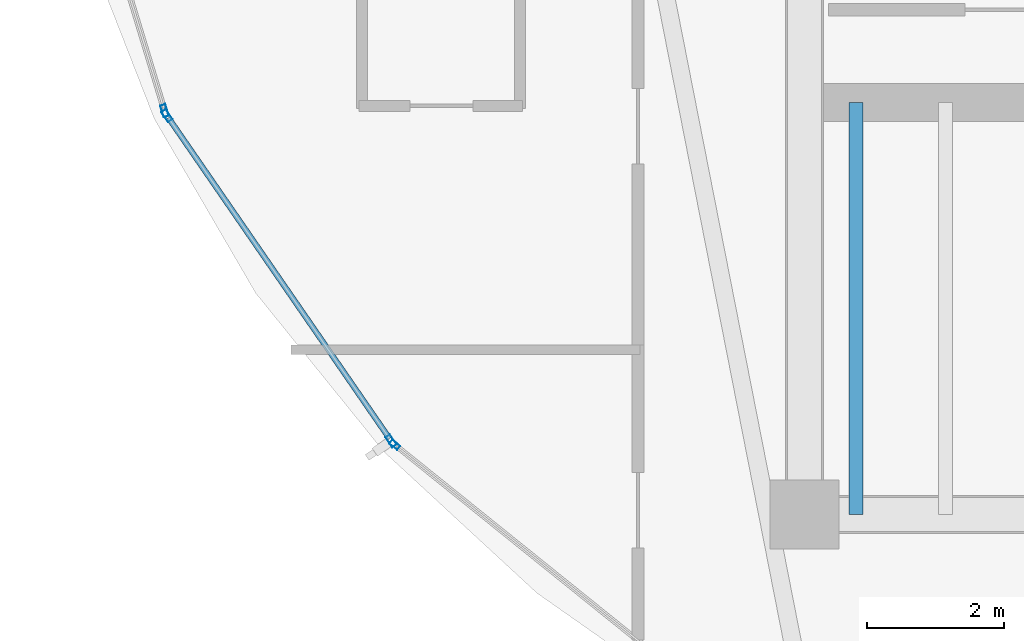
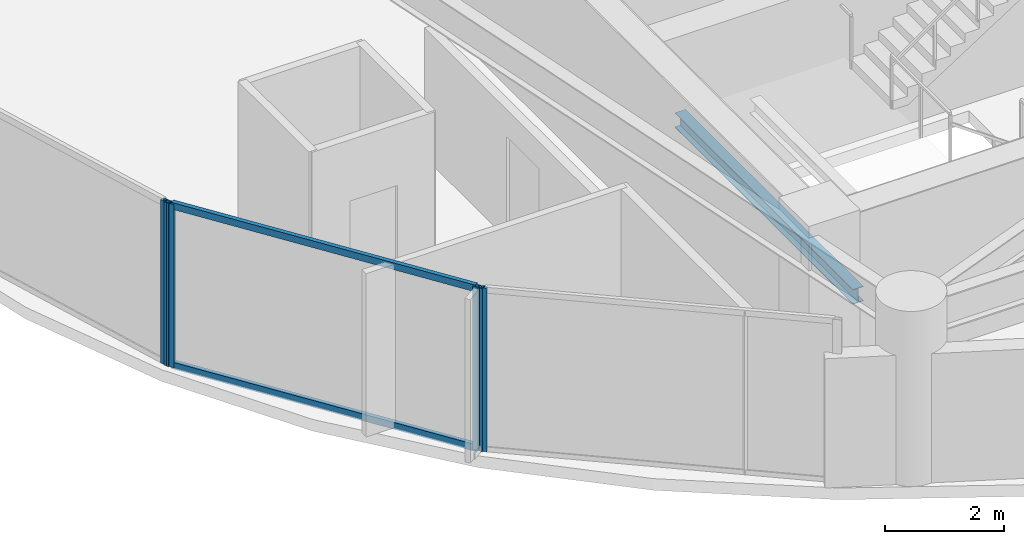
# One storey, part 3 of 34: 6 members, 1 beam, 3 elements without a shape of their own.
"""IFC4 building model written with IfcOpenShell, lengths in metres."""

from ifc_helpers import new_model, si_unit, direction, frame, origin, origin_2d, place, context, subcontext, project, spatial, hollow_rectangle, i_section, extrude, material, layer, layer_set, material_profile, profile_set, type_object, element, aggregate, save


model = new_model("IFC4")

# Units and contexts
model_context = context("Model", 3, precision=1e-05, world=origin(), true_north=direction((0.0, 1.0)))
body_context = subcontext(model_context, "Body", "Model", "MODEL_VIEW")
ifc_project = project(units=[si_unit("LENGTHUNIT", "METRE"), si_unit("AREAUNIT", "SQUARE_METRE"), si_unit("VOLUMEUNIT", "CUBIC_METRE"), si_unit("PLANEANGLEUNIT", "RADIAN"), si_unit("MASSUNIT", "GRAM", prefix="KILO")], contexts=[model_context])

# Site, building, storey
site_placement = place(None, origin())
site = spatial("IfcSite", under=ifc_project, at=site_placement, CompositionType="ELEMENT")
building_placement = place(site_placement, origin())
building = spatial("IfcBuilding", under=site, at=building_placement, Name="Kazevale Care Tower and Concert Hall", CompositionType="ELEMENT")
storey_placement = place(building_placement, frame((0.0, 0.0, 174.60009765625)))
storey = spatial("IfcBuildingStorey", under=building, at=storey_placement, Name="L46", CompositionType="ELEMENT", Elevation=174.60009765625)

# Curtain wall, members
ifc_material_1 = material(Name="Aluminium 6063-T6 and Low-E Glass", Category="aluminium")
ifc_layer_1 = layer(ifc_material_1, 0.179931640625)
ifc_layer_set_1 = layer_set([ifc_layer_1], Name="Aluminium 6063-T6 and Low-E Glass")
curtain_wall_type_1 = type_object("IfcCurtainWallType", Name="Waist & Upper Residential Curtain Wall CW-4", PredefinedType="NOTDEFINED", material=ifc_layer_set_1)
curtain_wall_1_placement = place(storey_placement, origin())
curtain_wall_1 = element("IfcCurtainWall", 1, at=curtain_wall_1_placement, inside=storey, type_object=curtain_wall_type_1, Name="cw:L46:f11", PredefinedType="NOTDEFINED")
ifc_material_2 = material(Name="Aluminium 6063-T6", Category="aluminium")
ifc_material_profile_1 = material_profile(ifc_material_2, hollow_rectangle(XDim=0.080078125, YDim=0.179931640625, WallThickness=0.0048828125, at=origin_2d()), Name="ALU80x180x5")
ifc_profile_set_1 = profile_set([ifc_material_profile_1], Name="Aluminium 6063-T6")
member_type_1 = type_object("IfcMemberType", Name="CW-4 Mullion ALU80x180x5", PredefinedType="MULLION", material=ifc_profile_set_1)
member_1_placement = place(storey_placement, frame((15.981201171875, 24.6708984375, 0.0), z_axis=(0.0, 0.0, 1.0), x_axis=(-0.823326035997, -0.567568708131, 0.0)))
member_1 = element("IfcMember", 2, at=member_1_placement, type_object=member_type_1, Name="CW-4 mullion 1", PredefinedType="MULLION", context=body_context, shape_type="SweptSolid", body=[
    extrude(hollow_rectangle(XDim=0.080078125, YDim=0.179931640625, WallThickness=0.0048828125, at=origin_2d()), origin(), (0.0, 0.0, 1.0), 3.35986328125),
])
member_2_placement = place(storey_placement, frame((12.7158203125, 29.407958984375, 0.0), z_axis=(0.0, 0.0, 1.0), x_axis=(-0.823326035997, -0.567568708131, 0.0)))
member_2 = element("IfcMember", 3, at=member_2_placement, type_object=member_type_1, Name="CW-4 mullion 2", PredefinedType="MULLION", context=body_context, shape_type="SweptSolid", body=[
    extrude(hollow_rectangle(XDim=0.080078125, YDim=0.179931640625, WallThickness=0.0048828125, at=origin_2d()), origin(), (0.0, 0.0, 1.0), 3.35986328125),
])

# Curtain wall, member
curtain_wall_2_placement = place(storey_placement, origin())
curtain_wall_2 = element("IfcCurtainWall", 4, at=curtain_wall_2_placement, inside=storey, type_object=curtain_wall_type_1, Name="cw:L46:f12", PredefinedType="NOTDEFINED")
member_3_placement = place(storey_placement, frame((12.681396484375, 29.479248046875, 0.0), z_axis=(0.0, 0.0, 1.0), x_axis=(-0.956729897234, -0.290977496961, 0.0)))
member_3 = element("IfcMember", 5, at=member_3_placement, type_object=member_type_1, Name="CW-4 mullion 1", PredefinedType="MULLION", context=body_context, shape_type="SweptSolid", body=[
    extrude(hollow_rectangle(XDim=0.080078125, YDim=0.179931640625, WallThickness=0.0048828125, at=origin_2d()), origin(), (0.0, 0.0, 1.0), 3.35986328125),
])
aggregate(curtain_wall_2, [member_3])

# Member
ifc_material_profile_2 = material_profile(ifc_material_2, hollow_rectangle(XDim=0.080078125, YDim=0.139892578125, WallThickness=0.00390625, at=origin_2d()), Name="ALU80x140x4")
ifc_profile_set_2 = profile_set([ifc_material_profile_2], Name="Aluminium 6063-T6")
member_type_2 = type_object("IfcMemberType", Name="CW-4 Transom ALU80x140x4", PredefinedType="USERDEFINED", material=ifc_profile_set_2)
member_4_placement = place(storey_placement, frame((15.95849609375, 24.703857421875, 0.039794921875), z_axis=(-0.567532833811, 0.823350765194, 0.0), x_axis=(-0.823350765194, -0.567532833811, 0.0)))
member_4 = element("IfcMember", 6, at=member_4_placement, type_object=member_type_2, Name="CW-4 transom 1.1", ObjectType="TRANSOM", PredefinedType="USERDEFINED", context=body_context, shape_type="SweptSolid", body=[
    extrude(hollow_rectangle(XDim=0.080078125, YDim=0.139892578125, WallThickness=0.00390625, at=origin_2d()), origin(), (0.0, 0.0, 1.0), 5.673583984375),
])

member_5_placement = place(storey_placement, frame((15.95849609375, 24.703857421875, 3.31982421875), z_axis=(-0.567532833811, 0.823350765194, 0.0), x_axis=(-0.823350765194, -0.567532833811, 0.0)))
member_5 = element("IfcMember", 7, at=member_5_placement, type_object=member_type_2, Name="CW-4 transom 1.2", ObjectType="TRANSOM", PredefinedType="USERDEFINED", context=body_context, shape_type="SweptSolid", body=[
    extrude(hollow_rectangle(XDim=0.080078125, YDim=0.139892578125, WallThickness=0.00390625, at=origin_2d()), origin(), (0.0, 0.0, 1.0), 5.673583984375),
])

aggregate(curtain_wall_1, [member_1, member_2, member_4, member_5])

# Curtain wall, member
ifc_layer_2 = layer(ifc_material_1, 0.179931640625)
ifc_layer_set_2 = layer_set([ifc_layer_2], Name="Aluminium 6063-T6 and Low-E Glass")
curtain_wall_type_2 = type_object("IfcCurtainWallType", Name="Sheltered Concave Balcony Curtain Wall CW-5", PredefinedType="NOTDEFINED", material=ifc_layer_set_2)
curtain_wall_3_placement = place(storey_placement, origin())
curtain_wall_3 = element("IfcCurtainWall", 8, at=curtain_wall_3_placement, inside=storey, type_object=curtain_wall_type_2, Name="cw:L46:f10", PredefinedType="NOTDEFINED")
ifc_material_profile_3 = material_profile(ifc_material_2, hollow_rectangle(XDim=0.074951171875, YDim=0.14990234375, WallThickness=0.00390625, at=origin_2d()), Name="ALU75x150x4")
ifc_profile_set_3 = profile_set([ifc_material_profile_3], Name="Aluminium 6063-T6")
member_type_3 = type_object("IfcMemberType", Name="CW-5 Mullion ALU75x150x4", PredefinedType="MULLION", material=ifc_profile_set_3)
member_6_placement = place(storey_placement, frame((16.033203125, 24.614501953125, 0.0), z_axis=(0.0, 0.0, 1.0), x_axis=(-0.626905357502, -0.779095419531, 0.0)))
member_6 = element("IfcMember", 9, at=member_6_placement, type_object=member_type_3, Name="CW-5 mullion 2", PredefinedType="MULLION", context=body_context, shape_type="SweptSolid", body=[
    extrude(hollow_rectangle(XDim=0.074951171875, YDim=0.14990234375, WallThickness=0.00390625, at=origin_2d()), origin(), (0.0, 0.0, 1.0), 3.35986328125),
])
aggregate(curtain_wall_3, [member_6])

# Beam
ifc_material_3 = material(Name="Steel ASTM A572 Gr 50", Category="steel")
ifc_material_profile_4 = material_profile(ifc_material_3, i_section(OverallWidth=0.202880859375, OverallDepth=0.302978515625, WebThickness=0.007568359375, FlangeThickness=0.01318359375, at=origin_2d()), Name="W310x60")
ifc_profile_set_4 = profile_set([ifc_material_profile_4], Name="Steel ASTM A572 Gr 50")
beam_type = type_object("IfcBeamType", Name="Stair & Balcony Trimmer W310x60", PredefinedType="BEAM", material=ifc_profile_set_4)
beam_placement = place(storey_placement, frame((22.75, 23.60009765625, 1.448486328125), z_axis=(0.0, 1.0, 0.0), x_axis=(-1.0, 0.0, 0.0)))
element("IfcBeam", 10, at=beam_placement, inside=storey, type_object=beam_type, Name="beam:L46:sttrim:ST1", PredefinedType="BEAM", context=body_context, shape_type="SweptSolid", body=[
    extrude(i_section(OverallWidth=0.202880859375, OverallDepth=0.302978515625, WebThickness=0.007568359375, FlangeThickness=0.01318359375, at=origin_2d()), origin(), (0.0, 0.0, 1.0), 6.0),
])

save(model, "model.ifc")
